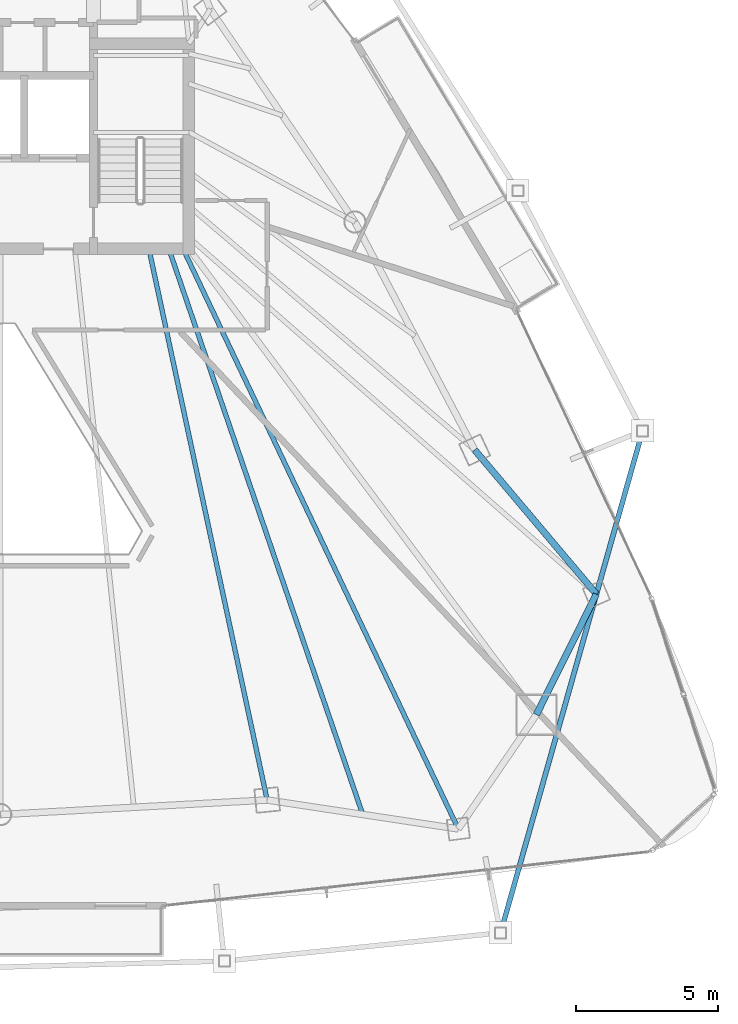
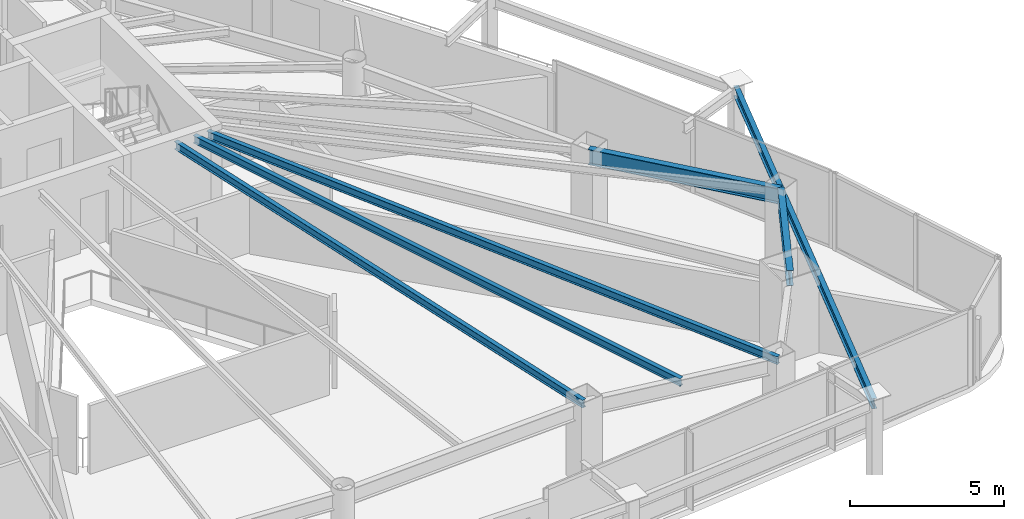
# One storey, part 15 of 31: 6 beams.
"""IFC4 building model written with IfcOpenShell, lengths in metres."""

from ifc_helpers import new_model, si_unit, direction, frame, origin, origin_2d, place, context, subcontext, project, spatial, i_section, extrude, material, material_profile, profile_set, type_object, element, save


model = new_model("IFC4")

# Units and contexts
model_context = context("Model", 3, precision=1e-05, world=origin(), true_north=direction((0.0, 1.0)))
body_context = subcontext(model_context, "Body", "Model", "MODEL_VIEW")
ifc_project = project(units=[si_unit("LENGTHUNIT", "METRE"), si_unit("AREAUNIT", "SQUARE_METRE"), si_unit("VOLUMEUNIT", "CUBIC_METRE"), si_unit("PLANEANGLEUNIT", "RADIAN"), si_unit("MASSUNIT", "GRAM", prefix="KILO")], contexts=[model_context])

# Site, building, storey
site_placement = place(None, origin())
site = spatial("IfcSite", under=ifc_project, at=site_placement, CompositionType="ELEMENT")
building_placement = place(site_placement, origin())
building = spatial("IfcBuilding", under=site, at=building_placement, Name="Orvanel Arch Residences", CompositionType="ELEMENT")
storey_placement = place(building_placement, frame((0.0, 0.0, 157.25)))
storey = spatial("IfcBuildingStorey", under=building, at=storey_placement, Name="L44", CompositionType="ELEMENT", Elevation=157.25)

# Beams
ifc_material = material(Name="Structural steel AS/NZS 3679.1 Grade 300 (300 MPa)", Category="steel")
ifc_material_profile_1 = material_profile(ifc_material, i_section(OverallWidth=0.1650390625, OverallDepth=0.303955078125, WebThickness=0.006103515625, FlangeThickness=0.01025390625, at=origin_2d()), Name="310UB40.4")
ifc_profile_set_1 = profile_set([ifc_material_profile_1], Name="Structural steel AS/NZS 3679.1 Grade 300 (300 MPa)")
beam_type_1 = type_object("IfcBeamType", Name="BJ-310UB", PredefinedType="JOIST", material=ifc_profile_set_1)
beam_1_placement = place(storey_placement, frame((38.199951171875, 26.699951171875, 2.907958984375), z_axis=(0.209808012425, -0.977742603103, 0.0), x_axis=(0.977742603103, 0.209808012425, 0.0)))
element("IfcBeam", 1, at=beam_1_placement, inside=storey, type_object=beam_type_1, Name="L44 SE Wing Floor Joist", PredefinedType="JOIST", context=body_context, shape_type="SweptSolid", body=[
    extrude(i_section(OverallWidth=0.1650390625, OverallDepth=0.303955078125, WebThickness=0.006103515625, FlangeThickness=0.01025390625, at=origin_2d()), origin(), (0.0, 0.0, 1.0), 19.785400390625),
])
beam_2_placement = place(storey_placement, frame((39.39990234375, 26.699951171875, 2.907958984375), z_axis=(0.428614365266, -0.903487534993, 0.0), x_axis=(0.903487534993, 0.428614365266, 0.0)))
element("IfcBeam", 2, at=beam_2_placement, inside=storey, type_object=beam_type_1, Name="L44 MSE Wing Floor Joist", PredefinedType="JOIST", context=body_context, shape_type="SweptSolid", body=[
    extrude(i_section(OverallWidth=0.1650390625, OverallDepth=0.303955078125, WebThickness=0.006103515625, FlangeThickness=0.01025390625, at=origin_2d()), origin(), (0.0, 0.0, 1.0), 22.535888671875),
])
beam_3_placement = place(storey_placement, frame((38.89990234375, 26.699951171875, 2.907958984375), z_axis=(0.324257108963, -0.945968988544, 0.0), x_axis=(0.945968988544, 0.324257108963, 0.0)))
element("IfcBeam", 3, at=beam_3_placement, inside=storey, type_object=beam_type_1, Name="L44 JADD2 Wing Floor Joist", PredefinedType="JOIST", context=body_context, shape_type="SweptSolid", body=[
    extrude(i_section(OverallWidth=0.1650390625, OverallDepth=0.303955078125, WebThickness=0.006103515625, FlangeThickness=0.01025390625, at=origin_2d()), origin(), (0.0, 0.0, 1.0), 20.987060546875),
])
ifc_material_profile_2 = material_profile(ifc_material, i_section(OverallWidth=0.177978515625, OverallDepth=0.406005859375, WebThickness=0.0078125, FlangeThickness=0.0126953125, at=origin_2d()), Name="410UB59.7")
ifc_profile_set_2 = profile_set([ifc_material_profile_2], Name="Structural steel AS/NZS 3679.1 Grade 300 (300 MPa)")
beam_type_2 = type_object("IfcBeamType", Name="OB-410UB-EXT", PredefinedType="SPANDREL", material=ifc_profile_set_2)
beam_4_placement = place(storey_placement, frame((50.54296875, 2.693115234375, 2.85693359375), z_axis=(0.272239085269, 0.962229640186, 0.0), x_axis=(-0.962229640186, 0.272239085269, 0.0)))
element("IfcBeam", 4, at=beam_4_placement, inside=storey, type_object=beam_type_2, Name="L44 Outer Perimeter Floor Ring Beam 08", PredefinedType="SPANDREL", context=body_context, shape_type="SweptSolid", body=[
    extrude(i_section(OverallWidth=0.177978515625, OverallDepth=0.406005859375, WebThickness=0.0078125, FlangeThickness=0.0126953125, at=origin_2d()), origin(), (0.0, 0.0, 1.0), 18.3115234375),
])
ifc_material_profile_3 = material_profile(ifc_material, i_section(OverallWidth=0.22900390625, OverallDepth=0.612060546875, WebThickness=0.011962890625, FlangeThickness=0.01953125, at=origin_2d()), Name="610UB125")
ifc_profile_set_3 = profile_set([ifc_material_profile_3], Name="Structural steel AS/NZS 3679.1 Grade 300 (300 MPa)")
beam_type_3 = type_object("IfcBeamType", Name="SP-610UB", PredefinedType="SPANDREL", material=ifc_profile_set_3)
beam_5_placement = place(storey_placement, frame((51.801025390625, 10.35107421875, 2.75390625), z_axis=(0.44543469453, 0.895314432425, 0.0), x_axis=(-0.895314432425, 0.44543469453, 0.0)))
element("IfcBeam", 5, at=beam_5_placement, inside=storey, type_object=beam_type_3, Name="L44 Perimeter Spandrel Beam 09", PredefinedType="SPANDREL", context=body_context, shape_type="SweptSolid", body=[
    extrude(i_section(OverallWidth=0.22900390625, OverallDepth=0.612060546875, WebThickness=0.011962890625, FlangeThickness=0.01953125, at=origin_2d()), origin(), (0.0, 0.0, 1.0), 4.723388671875),
])
beam_6_placement = place(storey_placement, frame((53.905029296875, 14.580078125, 2.75390625), z_axis=(-0.644950329775, 0.764224490659, 0.0), x_axis=(-0.764224490659, -0.644950329775, 0.0)))
element("IfcBeam", 6, at=beam_6_placement, inside=storey, type_object=beam_type_3, Name="L44 Perimeter Spandrel Beam 10", PredefinedType="SPANDREL", context=body_context, shape_type="SweptSolid", body=[
    extrude(i_section(OverallWidth=0.22900390625, OverallDepth=0.612060546875, WebThickness=0.011962890625, FlangeThickness=0.01953125, at=origin_2d()), origin(), (0.0, 0.0, 1.0), 6.623779296875),
])

save(model, "model.ifc")
